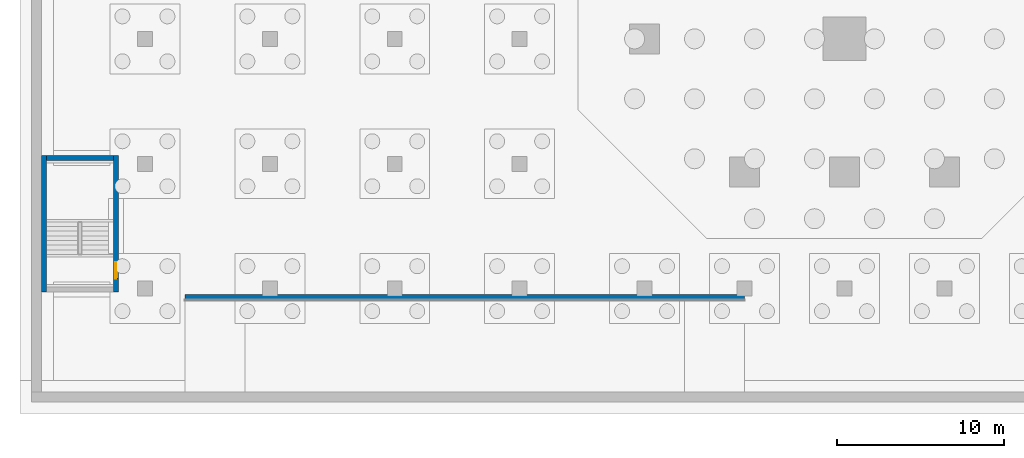
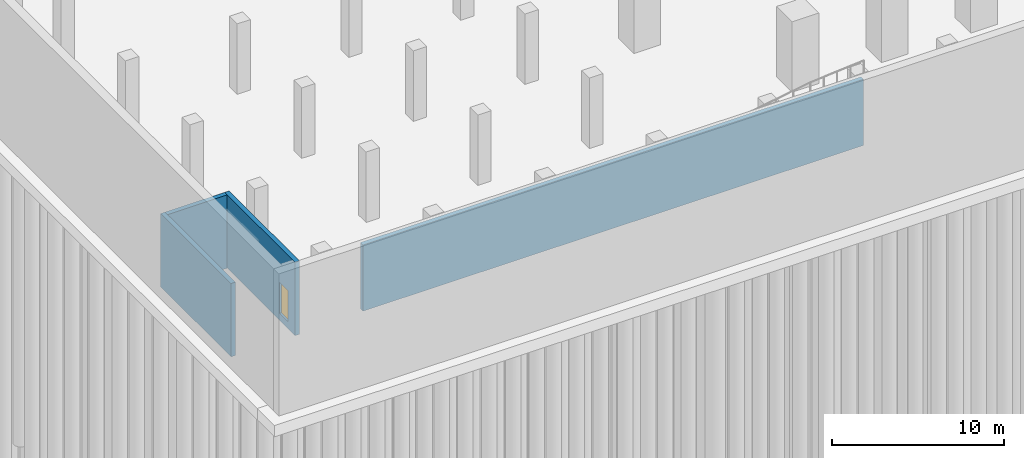
# One storey, part 5 of 31: 4 walls, 1 door, 1 opening.
"""IFC4 building model written with IfcOpenShell, lengths in metres."""

from ifc_helpers import new_model, si_unit, direction, frame, frame_2d, origin, place, context, subcontext, project, spatial, rectangle, extrude, material, layer, layer_set, type_object, element, fill, save


model = new_model("IFC4")

# Units and contexts
model_context = context("Model", 3, precision=1e-05, world=origin(), true_north=direction((0.0, 1.0)))
body_context = subcontext(model_context, "Body", "Model", "MODEL_VIEW")
ifc_project = project(units=[si_unit("LENGTHUNIT", "METRE"), si_unit("AREAUNIT", "SQUARE_METRE"), si_unit("VOLUMEUNIT", "CUBIC_METRE"), si_unit("PLANEANGLEUNIT", "RADIAN"), si_unit("MASSUNIT", "GRAM", prefix="KILO")], contexts=[model_context])

# Site, building, storey
site_placement = place(None, origin())
site = spatial("IfcSite", under=ifc_project, at=site_placement, CompositionType="ELEMENT")
building_placement = place(site_placement, origin())
building = spatial("IfcBuilding", under=site, at=building_placement, Name="Mizan Broadcast Tower", CompositionType="ELEMENT")
storey_placement = place(building_placement, frame((0.0, 0.0, -10.0)))
storey = spatial("IfcBuildingStorey", under=building, at=storey_placement, Name="B2", CompositionType="ELEMENT", Elevation=-10.0)

# Wall
ifc_material_1 = material(Name="Concrete C70/85", Category="concrete")
ifc_layer_1 = layer(ifc_material_1, 0.300048828125)
ifc_layer_set_1 = layer_set([ifc_layer_1], Name="Concrete C70/85")
wall_type_1 = type_object("IfcWallType", Name="RAMP WALL 300", PredefinedType="SOLIDWALL", material=ifc_layer_set_1)
wall_1_placement = place(storey_placement, frame((-39.60009765625, -42.5, 0.0), z_axis=(0.0, 0.0, 1.0), x_axis=(1.0, 0.0, 0.0)))
element("IfcWall", 1, at=wall_1_placement, inside=storey, type_object=wall_type_1, Name="Car ramp wall R2", PredefinedType="SOLIDWALL", context=body_context, shape_type="SweptSolid", body=[
    extrude(rectangle(XDim=33.60009765625, YDim=0.300048828125, at=frame_2d((16.800048828125, 0.0))), origin(), (0.0, 0.0, 1.0), 4.699951171875),
])

# Wall, opening, door
ifc_material_2 = material(Name="Concrete C40/50", Category="concrete")
ifc_layer_2 = layer(ifc_material_2, 0.300048828125)
ifc_layer_set_2 = layer_set([ifc_layer_2], Name="Concrete C40/50")
wall_type_2 = type_object("IfcWallType", Name="STAIR SHAFT WALL 300 RC", PredefinedType="SOLIDWALL", material=ifc_layer_set_2)
wall_2_placement = place(storey_placement, frame((-43.75, -42.199951171875, -0.5), z_axis=(0.0, 0.0, 1.0), x_axis=(0.0, 1.0, 0.0)))
wall_2 = element("IfcWall", 2, at=wall_2_placement, inside=storey, type_object=wall_type_2, Name="Stair shaft wall G I", PredefinedType="SOLIDWALL", context=body_context, shape_type="SweptSolid", body=[
    extrude(rectangle(XDim=8.199951171875, YDim=0.300048828125, at=frame_2d((4.10009765625, 0.0))), origin(), (0.0, 0.0, 1.0), 5.199951171875),
])
opening_placement = place(wall_2_placement, frame((0.800048828125, 0.0, 0.5)))
opening = element("IfcOpeningElement", 3, at=opening_placement, cuts=wall_2, Name="Opening D10S", PredefinedType="OPENING", context=body_context, shape_type="SweptSolid", body=[
    extrude(rectangle(XDim=1.0, YDim=2.199951171875, at=frame_2d((0.5, 1.10009765625))), frame((0.0, 0.159912109375, 0.0), z_axis=(0.0, -1.0, 0.0), x_axis=(1.0, 0.0, 0.0)), (0.0, 0.0, 1.0), 0.320068359375),
])
ifc_material_3 = material(Name="Steel door leaf in steel frame", Category="steel")
door_type = type_object("IfcDoorType", Name="STAIR DOOR 1000 FD90S", OperationType="SINGLE_SWING_RIGHT", PredefinedType="DOOR", material=ifc_material_3)
door_placement = place(opening_placement, origin())
door = element("IfcDoor", 4, at=door_placement, inside=storey, type_object=door_type, Name="Stair G door", OperationType="SINGLE_SWING_RIGHT", OverallHeight=2.199951171875, OverallWidth=1.0, PredefinedType="DOOR", context=body_context, shape_type="SweptSolid", body=[
    extrude(rectangle(XDim=1.0, YDim=2.199951171875, at=frame_2d((0.5, 1.10009765625))), frame((0.0, 0.02490234375, 0.0), z_axis=(0.0, -1.0, 0.0), x_axis=(1.0, 0.0, 0.0)), (0.0, 0.0, 1.0), 0.050048828125),
])
fill(opening, door)

# Walls
wall_3_placement = place(storey_placement, frame((-48.050048828125, -34.0, -0.5), z_axis=(0.0, 0.0, 1.0), x_axis=(0.0, -1.0, 0.0)))
element("IfcWall", 5, at=wall_3_placement, inside=storey, type_object=wall_type_2, Name="Stair shaft wall G O", PredefinedType="SOLIDWALL", context=body_context, shape_type="SweptSolid", body=[
    extrude(rectangle(XDim=8.199951171875, YDim=0.300048828125, at=frame_2d((4.10009765625, 0.0))), origin(), (0.0, 0.0, 1.0), 5.199951171875),
])
wall_4_placement = place(storey_placement, frame((-47.89990234375, -34.14990234375, -0.5), z_axis=(0.0, 0.0, 1.0), x_axis=(1.0, 0.0, 0.0)))
element("IfcWall", 6, at=wall_4_placement, inside=storey, type_object=wall_type_2, Name="Stair shaft wall G F", PredefinedType="SOLIDWALL", context=body_context, shape_type="SweptSolid", body=[
    extrude(rectangle(XDim=4.0, YDim=0.300048828125, at=frame_2d((2.0, 0.0))), origin(), (0.0, 0.0, 1.0), 5.199951171875),
])

save(model, "model.ifc")
